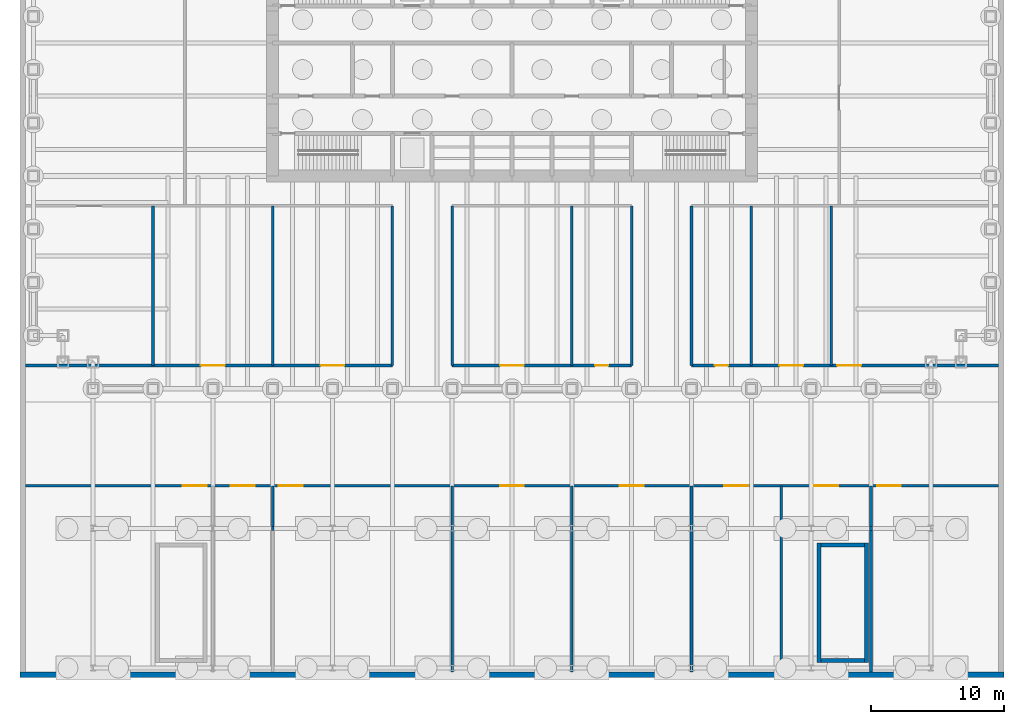
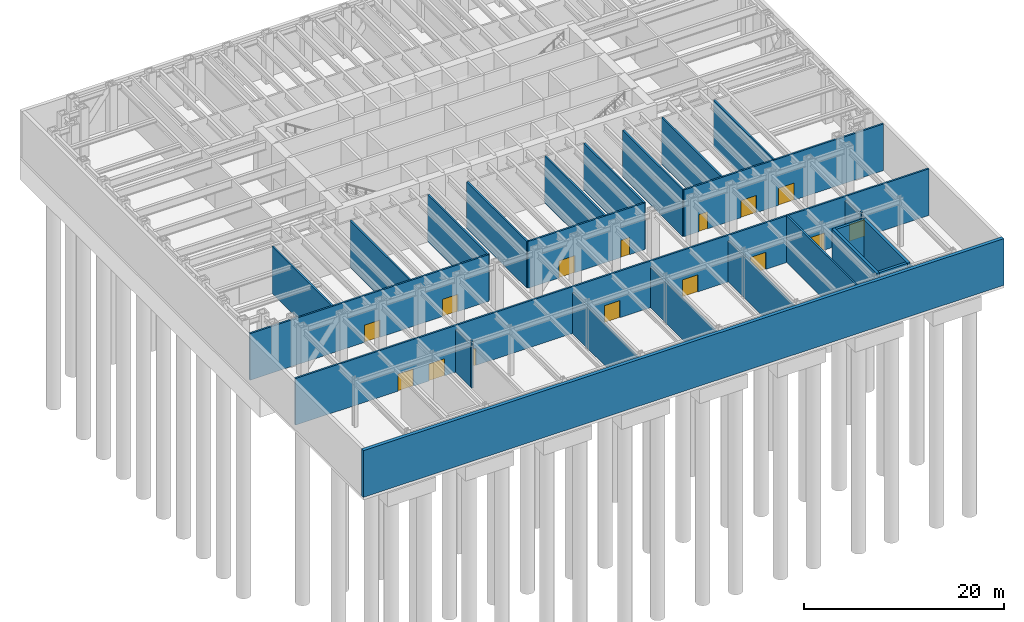
# One storey, part 4 of 9: 27 walls, 15 doors, 15 openings.
"""IFC4 building model written with IfcOpenShell, lengths in metres."""

from ifc_helpers import new_model, si_unit, direction, frame, frame_2d, origin, place, context, subcontext, project, spatial, rectangle, extrude, material, layer, layer_set, type_object, element, fill, save


model = new_model("IFC4")

# Units and contexts
model_context = context("Model", 3, precision=1e-05, world=origin(), true_north=direction((0.0, 1.0)))
body_context = subcontext(model_context, "Body", "Model", "MODEL_VIEW")
ifc_project = project(units=[si_unit("LENGTHUNIT", "METRE"), si_unit("AREAUNIT", "SQUARE_METRE"), si_unit("VOLUMEUNIT", "CUBIC_METRE"), si_unit("PLANEANGLEUNIT", "RADIAN"), si_unit("MASSUNIT", "GRAM", prefix="KILO")], contexts=[model_context])

# Site, building, storey
site_placement = place(None, origin())
site = spatial("IfcSite", under=ifc_project, at=site_placement, CompositionType="ELEMENT")
building_placement = place(site_placement, origin())
building = spatial("IfcBuilding", under=site, at=building_placement, Name="Rheinbord Bourse Tower", CompositionType="ELEMENT")
storey_placement = place(building_placement, frame((0.0, 0.0, -6.0)))
storey = spatial("IfcBuildingStorey", under=building, at=storey_placement, Name="B1", CompositionType="ELEMENT", Elevation=-6.0)

# Wall
ifc_material_1 = material(Name="Concrete C35/45", Category="concrete")
ifc_layer_1 = layer(ifc_material_1, 0.39990234375)
ifc_layer_set_1 = layer_set([ifc_layer_1], Name="BASEMENT RETAINING WALL 400")
wall_type_1 = type_object("IfcWallType", Name="BASEMENT RETAINING WALL 400", PredefinedType="SOLIDWALL", material=ifc_layer_set_1)
wall_1_placement = place(storey_placement, frame((-1.0, -21.5, 0.0), z_axis=(0.0, 0.0, 1.0), x_axis=(1.0, 0.0, 0.0)))
element("IfcWall", 1, at=wall_1_placement, inside=storey, type_object=wall_type_1, Name="Basement retaining wall S", PredefinedType="SOLIDWALL", context=body_context, shape_type="SweptSolid", body=[
    extrude(rectangle(XDim=74.0, YDim=0.39990234375, at=frame_2d((37.0, 0.0))), origin(), (0.0, 0.0, 1.0), 5.699951171875),
])

# Wall, openings, doors
ifc_material_2 = material(Name="Concrete block plant room wall", Category="concrete")
ifc_layer_2 = layer(ifc_material_2, 0.199951171875)
ifc_layer_set_2 = layer_set([ifc_layer_2], Name="PLANT ROOM PARTITION 200 EI90")
wall_type_2 = type_object("IfcWallType", Name="PLANT ROOM PARTITION 200 EI90", PredefinedType="PARTITIONING", material=ifc_layer_set_2)
wall_2_placement = place(storey_placement, frame((-0.590087890625, -7.300048828125, 0.0), z_axis=(0.0, 0.0, 1.0), x_axis=(1.0, 0.0, 0.0)))
wall_2 = element("IfcWall", 2, at=wall_2_placement, inside=storey, type_object=wall_type_2, Name="Partition B1-01", PredefinedType="PARTITIONING", context=body_context, shape_type="SweptSolid", body=[
    extrude(rectangle(XDim=73.18017578125, YDim=0.199951171875, at=frame_2d((36.590087890625, 0.0))), origin(), (0.0, 0.0, 1.0), 5.699951171875),
])
opening_1_placement = place(wall_2_placement, frame((11.840087890625, 0.0, 0.0)))
opening_1 = element("IfcOpeningElement", 3, at=opening_1_placement, cuts=wall_2, Name="Opening B1P01", PredefinedType="OPENING", context=body_context, shape_type="SweptSolid", body=[
    extrude(rectangle(XDim=1.800048828125, YDim=2.10009765625, at=frame_2d((0.89990234375, 1.050048828125))), frame((0.0, 0.10986328125, 0.0), z_axis=(0.0, -1.0, 0.0), x_axis=(1.0, 0.0, 0.0)), (0.0, 0.0, 1.0), 0.219970703125),
])
opening_2_placement = place(wall_2_placement, frame((64.0400390625, 0.0, 0.0)))
opening_2 = element("IfcOpeningElement", 4, at=opening_2_placement, cuts=wall_2, Name="Opening B1P02", PredefinedType="OPENING", context=body_context, shape_type="SweptSolid", body=[
    extrude(rectangle(XDim=1.800048828125, YDim=2.10009765625, at=frame_2d((0.89990234375, 1.050048828125))), frame((0.0, 0.10986328125, 0.0), z_axis=(0.0, -1.0, 0.0), x_axis=(1.0, 0.0, 0.0)), (0.0, 0.0, 1.0), 0.219970703125),
])
opening_3_placement = place(wall_2_placement, frame((15.43994140625, 0.0, 0.0)))
opening_3 = element("IfcOpeningElement", 5, at=opening_3_placement, cuts=wall_2, Name="Opening B1P03", PredefinedType="OPENING", context=body_context, shape_type="SweptSolid", body=[
    extrude(rectangle(XDim=1.800048828125, YDim=2.10009765625, at=frame_2d((0.89990234375, 1.050048828125))), frame((0.0, 0.10986328125, 0.0), z_axis=(0.0, -1.0, 0.0), x_axis=(1.0, 0.0, 0.0)), (0.0, 0.0, 1.0), 0.219970703125),
])
opening_4_placement = place(wall_2_placement, frame((19.0400390625, 0.0, 0.0)))
opening_4 = element("IfcOpeningElement", 6, at=opening_4_placement, cuts=wall_2, Name="Opening B1P04", PredefinedType="OPENING", context=body_context, shape_type="SweptSolid", body=[
    extrude(rectangle(XDim=1.800048828125, YDim=2.10009765625, at=frame_2d((0.89990234375, 1.050048828125))), frame((0.0, 0.10986328125, 0.0), z_axis=(0.0, -1.0, 0.0), x_axis=(1.0, 0.0, 0.0)), (0.0, 0.0, 1.0), 0.219970703125),
])
opening_5_placement = place(wall_2_placement, frame((35.68994140625, 0.0, 0.0)))
opening_5 = element("IfcOpeningElement", 7, at=opening_5_placement, cuts=wall_2, Name="Opening B1P05", PredefinedType="OPENING", context=body_context, shape_type="SweptSolid", body=[
    extrude(rectangle(XDim=1.800048828125, YDim=2.10009765625, at=frame_2d((0.89990234375, 1.050048828125))), frame((0.0, 0.10986328125, 0.0), z_axis=(0.0, -1.0, 0.0), x_axis=(1.0, 0.0, 0.0)), (0.0, 0.0, 1.0), 0.219970703125),
])
opening_6_placement = place(wall_2_placement, frame((44.68994140625, 0.0, 0.0)))
opening_6 = element("IfcOpeningElement", 8, at=opening_6_placement, cuts=wall_2, Name="Opening B1P06", PredefinedType="OPENING", context=body_context, shape_type="SweptSolid", body=[
    extrude(rectangle(XDim=1.800048828125, YDim=2.10009765625, at=frame_2d((0.89990234375, 1.050048828125))), frame((0.0, 0.10986328125, 0.0), z_axis=(0.0, -1.0, 0.0), x_axis=(1.0, 0.0, 0.0)), (0.0, 0.0, 1.0), 0.219970703125),
])
opening_7_placement = place(wall_2_placement, frame((52.56494140625, 0.0, 0.0)))
opening_7 = element("IfcOpeningElement", 9, at=opening_7_placement, cuts=wall_2, Name="Opening B1P07", PredefinedType="OPENING", context=body_context, shape_type="SweptSolid", body=[
    extrude(rectangle(XDim=1.800048828125, YDim=2.10009765625, at=frame_2d((0.89990234375, 1.050048828125))), frame((0.0, 0.10986328125, 0.0), z_axis=(0.0, -1.0, 0.0), x_axis=(1.0, 0.0, 0.0)), (0.0, 0.0, 1.0), 0.219970703125),
])
opening_8_placement = place(wall_2_placement, frame((59.31494140625, 0.0, 0.0)))
opening_8 = element("IfcOpeningElement", 10, at=opening_8_placement, cuts=wall_2, Name="Opening B1P08", PredefinedType="OPENING", context=body_context, shape_type="SweptSolid", body=[
    extrude(rectangle(XDim=1.800048828125, YDim=2.10009765625, at=frame_2d((0.89990234375, 1.050048828125))), frame((0.0, 0.10986328125, 0.0), z_axis=(0.0, -1.0, 0.0), x_axis=(1.0, 0.0, 0.0)), (0.0, 0.0, 1.0), 0.219970703125),
])
ifc_material_3 = material(Name="Steel fire door", Category="steel")
door_type_1 = type_object("IfcDoorType", Name="PLANT ROOM DOUBLE DOOR 1800 EI60", OperationType="DOUBLE_DOOR_DOUBLE_SWING", PredefinedType="DOOR", material=ifc_material_3)
door_1_placement = place(opening_1_placement, origin())
door_1 = element("IfcDoor", 11, at=door_1_placement, inside=storey, type_object=door_type_1, Name="Standby generator room 1 door B1", OperationType="SINGLE_SWING_LEFT", OverallHeight=2.10009765625, OverallWidth=1.800048828125, PredefinedType="DOOR", context=body_context, shape_type="SweptSolid", body=[
    extrude(rectangle(XDim=1.800048828125, YDim=2.10009765625, at=frame_2d((0.89990234375, 1.050048828125))), frame((0.0, 0.02490234375, 0.0), z_axis=(0.0, -1.0, 0.0), x_axis=(1.0, 0.0, 0.0)), (0.0, 0.0, 1.0), 0.050048828125),
])
fill(opening_1, door_1)
door_2_placement = place(opening_2_placement, origin())
door_2 = element("IfcDoor", 12, at=door_2_placement, inside=storey, type_object=door_type_1, Name="LV switch room 1 door B1", OperationType="SINGLE_SWING_LEFT", OverallHeight=2.10009765625, OverallWidth=1.800048828125, PredefinedType="DOOR", context=body_context, shape_type="SweptSolid", body=[
    extrude(rectangle(XDim=1.800048828125, YDim=2.10009765625, at=frame_2d((0.89990234375, 1.050048828125))), frame((0.0, 0.02490234375, 0.0), z_axis=(0.0, -1.0, 0.0), x_axis=(1.0, 0.0, 0.0)), (0.0, 0.0, 1.0), 0.050048828125),
])
fill(opening_2, door_2)
door_3_placement = place(opening_3_placement, origin())
door_3 = element("IfcDoor", 13, at=door_3_placement, inside=storey, type_object=door_type_1, Name="Generator fuel store door B1", OperationType="SINGLE_SWING_LEFT", OverallHeight=2.10009765625, OverallWidth=1.800048828125, PredefinedType="DOOR", context=body_context, shape_type="SweptSolid", body=[
    extrude(rectangle(XDim=1.800048828125, YDim=2.10009765625, at=frame_2d((0.89990234375, 1.050048828125))), frame((0.0, 0.02490234375, 0.0), z_axis=(0.0, -1.0, 0.0), x_axis=(1.0, 0.0, 0.0)), (0.0, 0.0, 1.0), 0.050048828125),
])
fill(opening_3, door_3)
door_4_placement = place(opening_4_placement, origin())
door_4 = element("IfcDoor", 14, at=door_4_placement, inside=storey, type_object=door_type_1, Name="Standby generator room 2 door B1", OperationType="SINGLE_SWING_LEFT", OverallHeight=2.10009765625, OverallWidth=1.800048828125, PredefinedType="DOOR", context=body_context, shape_type="SweptSolid", body=[
    extrude(rectangle(XDim=1.800048828125, YDim=2.10009765625, at=frame_2d((0.89990234375, 1.050048828125))), frame((0.0, 0.02490234375, 0.0), z_axis=(0.0, -1.0, 0.0), x_axis=(1.0, 0.0, 0.0)), (0.0, 0.0, 1.0), 0.050048828125),
])
fill(opening_4, door_4)
door_5_placement = place(opening_5_placement, origin())
door_5 = element("IfcDoor", 15, at=door_5_placement, inside=storey, type_object=door_type_1, Name="MV switch room A door B1", OperationType="SINGLE_SWING_LEFT", OverallHeight=2.10009765625, OverallWidth=1.800048828125, PredefinedType="DOOR", context=body_context, shape_type="SweptSolid", body=[
    extrude(rectangle(XDim=1.800048828125, YDim=2.10009765625, at=frame_2d((0.89990234375, 1.050048828125))), frame((0.0, 0.02490234375, 0.0), z_axis=(0.0, -1.0, 0.0), x_axis=(1.0, 0.0, 0.0)), (0.0, 0.0, 1.0), 0.050048828125),
])
fill(opening_5, door_5)
door_6_placement = place(opening_6_placement, origin())
door_6 = element("IfcDoor", 16, at=door_6_placement, inside=storey, type_object=door_type_1, Name="MV switch room B door B1", OperationType="SINGLE_SWING_LEFT", OverallHeight=2.10009765625, OverallWidth=1.800048828125, PredefinedType="DOOR", context=body_context, shape_type="SweptSolid", body=[
    extrude(rectangle(XDim=1.800048828125, YDim=2.10009765625, at=frame_2d((0.89990234375, 1.050048828125))), frame((0.0, 0.02490234375, 0.0), z_axis=(0.0, -1.0, 0.0), x_axis=(1.0, 0.0, 0.0)), (0.0, 0.0, 1.0), 0.050048828125),
])
fill(opening_6, door_6)
door_7_placement = place(opening_7_placement, origin())
door_7 = element("IfcDoor", 17, at=door_7_placement, inside=storey, type_object=door_type_1, Name="Transformer room 1 door B1", OperationType="SINGLE_SWING_LEFT", OverallHeight=2.10009765625, OverallWidth=1.800048828125, PredefinedType="DOOR", context=body_context, shape_type="SweptSolid", body=[
    extrude(rectangle(XDim=1.800048828125, YDim=2.10009765625, at=frame_2d((0.89990234375, 1.050048828125))), frame((0.0, 0.02490234375, 0.0), z_axis=(0.0, -1.0, 0.0), x_axis=(1.0, 0.0, 0.0)), (0.0, 0.0, 1.0), 0.050048828125),
])
fill(opening_7, door_7)
door_8_placement = place(opening_8_placement, origin())
door_8 = element("IfcDoor", 18, at=door_8_placement, inside=storey, type_object=door_type_1, Name="Transformer room 2 door B1", OperationType="SINGLE_SWING_LEFT", OverallHeight=2.10009765625, OverallWidth=1.800048828125, PredefinedType="DOOR", context=body_context, shape_type="SweptSolid", body=[
    extrude(rectangle(XDim=1.800048828125, YDim=2.10009765625, at=frame_2d((0.89990234375, 1.050048828125))), frame((0.0, 0.02490234375, 0.0), z_axis=(0.0, -1.0, 0.0), x_axis=(1.0, 0.0, 0.0)), (0.0, 0.0, 1.0), 0.050048828125),
])
fill(opening_8, door_8)

wall_3_placement = place(storey_placement, frame((-0.590087890625, 1.75, 0.0), z_axis=(0.0, 0.0, 1.0), x_axis=(1.0, 0.0, 0.0)))
wall_3 = element("IfcWall", 19, at=wall_3_placement, inside=storey, type_object=wall_type_2, Name="Partition B1-02", PredefinedType="PARTITIONING", context=body_context, shape_type="SweptSolid", body=[
    extrude(rectangle(XDim=27.590087890625, YDim=0.199951171875, at=frame_2d((13.794921875, 0.0))), origin(), (0.0, 0.0, 1.0), 5.699951171875),
])
opening_9_placement = place(wall_3_placement, frame((13.18994140625, 0.0, 0.0)))
opening_9 = element("IfcOpeningElement", 20, at=opening_9_placement, cuts=wall_3, Name="Opening B1P10", PredefinedType="OPENING", context=body_context, shape_type="SweptSolid", body=[
    extrude(rectangle(XDim=1.800048828125, YDim=2.10009765625, at=frame_2d((0.89990234375, 1.050048828125))), frame((0.0, 0.10986328125, 0.0), z_axis=(0.0, -1.0, 0.0), x_axis=(1.0, 0.0, 0.0)), (0.0, 0.0, 1.0), 0.219970703125),
])
opening_10_placement = place(wall_3_placement, frame((22.18994140625, 0.0, 0.0)))
opening_10 = element("IfcOpeningElement", 21, at=opening_10_placement, cuts=wall_3, Name="Opening B1P11", PredefinedType="OPENING", context=body_context, shape_type="SweptSolid", body=[
    extrude(rectangle(XDim=1.800048828125, YDim=2.10009765625, at=frame_2d((0.89990234375, 1.050048828125))), frame((0.0, 0.10986328125, 0.0), z_axis=(0.0, -1.0, 0.0), x_axis=(1.0, 0.0, 0.0)), (0.0, 0.0, 1.0), 0.219970703125),
])
door_9_placement = place(opening_9_placement, origin())
door_9 = element("IfcDoor", 22, at=door_9_placement, inside=storey, type_object=door_type_1, Name="Sprinkler water tank room 2 door B1", OperationType="SINGLE_SWING_LEFT", OverallHeight=2.10009765625, OverallWidth=1.800048828125, PredefinedType="DOOR", context=body_context, shape_type="SweptSolid", body=[
    extrude(rectangle(XDim=1.800048828125, YDim=2.10009765625, at=frame_2d((0.89990234375, 1.050048828125))), frame((0.0, 0.02490234375, 0.0), z_axis=(0.0, -1.0, 0.0), x_axis=(1.0, 0.0, 0.0)), (0.0, 0.0, 1.0), 0.050048828125),
])
fill(opening_9, door_9)
door_10_placement = place(opening_10_placement, origin())
door_10 = element("IfcDoor", 23, at=door_10_placement, inside=storey, type_object=door_type_1, Name="Sprinkler pump room door B1", OperationType="SINGLE_SWING_LEFT", OverallHeight=2.10009765625, OverallWidth=1.800048828125, PredefinedType="DOOR", context=body_context, shape_type="SweptSolid", body=[
    extrude(rectangle(XDim=1.800048828125, YDim=2.10009765625, at=frame_2d((0.89990234375, 1.050048828125))), frame((0.0, 0.02490234375, 0.0), z_axis=(0.0, -1.0, 0.0), x_axis=(1.0, 0.0, 0.0)), (0.0, 0.0, 1.0), 0.050048828125),
])
fill(opening_10, door_10)

wall_4_placement = place(storey_placement, frame((31.5, 1.75, 0.0), z_axis=(0.0, 0.0, 1.0), x_axis=(1.0, 0.0, 0.0)))
wall_4 = element("IfcWall", 24, at=wall_4_placement, inside=storey, type_object=wall_type_2, Name="Partition B1-03", PredefinedType="PARTITIONING", context=body_context, shape_type="SweptSolid", body=[
    extrude(rectangle(XDim=13.5, YDim=0.199951171875, at=frame_2d((6.75, 0.0))), origin(), (0.0, 0.0, 1.0), 5.699951171875),
])
opening_11_placement = place(wall_4_placement, frame((3.60009765625, 0.0, 0.0)))
opening_11 = element("IfcOpeningElement", 25, at=opening_11_placement, cuts=wall_4, Name="Opening B1P12", PredefinedType="OPENING", context=body_context, shape_type="SweptSolid", body=[
    extrude(rectangle(XDim=1.800048828125, YDim=2.10009765625, at=frame_2d((0.89990234375, 1.050048828125))), frame((0.0, 0.10986328125, 0.0), z_axis=(0.0, -1.0, 0.0), x_axis=(1.0, 0.0, 0.0)), (0.0, 0.0, 1.0), 0.219970703125),
])
opening_12_placement = place(wall_4_placement, frame((10.75, 0.0, 0.0)))
opening_12 = element("IfcOpeningElement", 26, at=opening_12_placement, cuts=wall_4, Name="Opening B1P13", PredefinedType="OPENING", context=body_context, shape_type="SweptSolid", body=[
    extrude(rectangle(XDim=1.0, YDim=2.10009765625, at=frame_2d((0.5, 1.050048828125))), frame((0.0, 0.10986328125, 0.0), z_axis=(0.0, -1.0, 0.0), x_axis=(1.0, 0.0, 0.0)), (0.0, 0.0, 1.0), 0.219970703125),
])
ifc_material_4 = material(Name="Steel fire door", Category="steel")
door_type_2 = type_object("IfcDoorType", Name="PLANT ROOM DOOR 1000 EI60", OperationType="SINGLE_SWING_LEFT", PredefinedType="DOOR", material=ifc_material_4)
door_11_placement = place(opening_12_placement, origin())
door_11 = element("IfcDoor", 27, at=door_11_placement, inside=storey, type_object=door_type_2, Name="UPS room door B1", OperationType="SINGLE_SWING_RIGHT", OverallHeight=2.10009765625, OverallWidth=1.0, PredefinedType="DOOR", context=body_context, shape_type="SweptSolid", body=[
    extrude(rectangle(XDim=1.0, YDim=2.10009765625, at=frame_2d((0.5, 1.050048828125))), frame((0.0, 0.02490234375, 0.0), z_axis=(0.0, -1.0, 0.0), x_axis=(1.0, 0.0, 0.0)), (0.0, 0.0, 1.0), 0.050048828125),
])
fill(opening_12, door_11)
door_12_placement = place(opening_11_placement, origin())
door_12 = element("IfcDoor", 28, at=door_12_placement, inside=storey, type_object=door_type_1, Name="Domestic water tank and booster pump room door B1", OperationType="SINGLE_SWING_LEFT", OverallHeight=2.10009765625, OverallWidth=1.800048828125, PredefinedType="DOOR", context=body_context, shape_type="SweptSolid", body=[
    extrude(rectangle(XDim=1.800048828125, YDim=2.10009765625, at=frame_2d((0.89990234375, 1.050048828125))), frame((0.0, 0.02490234375, 0.0), z_axis=(0.0, -1.0, 0.0), x_axis=(1.0, 0.0, 0.0)), (0.0, 0.0, 1.0), 0.050048828125),
])
fill(opening_11, door_12)

wall_5_placement = place(storey_placement, frame((49.5, 1.75, 0.0), z_axis=(0.0, 0.0, 1.0), x_axis=(1.0, 0.0, 0.0)))
wall_5 = element("IfcWall", 29, at=wall_5_placement, inside=storey, type_object=wall_type_2, Name="Partition B1-04", PredefinedType="PARTITIONING", context=body_context, shape_type="SweptSolid", body=[
    extrude(rectangle(XDim=23.090087890625, YDim=0.199951171875, at=frame_2d((11.544921875, 0.0))), origin(), (0.0, 0.0, 1.0), 5.699951171875),
])
opening_13_placement = place(wall_5_placement, frame((1.75, 0.0, 0.0)))
opening_13 = element("IfcOpeningElement", 30, at=opening_13_placement, cuts=wall_5, Name="Opening B1P14", PredefinedType="OPENING", context=body_context, shape_type="SweptSolid", body=[
    extrude(rectangle(XDim=1.0, YDim=2.10009765625, at=frame_2d((0.5, 1.050048828125))), frame((0.0, 0.10986328125, 0.0), z_axis=(0.0, -1.0, 0.0), x_axis=(1.0, 0.0, 0.0)), (0.0, 0.0, 1.0), 0.219970703125),
])
opening_14_placement = place(wall_5_placement, frame((6.60009765625, 0.0, 0.0)))
opening_14 = element("IfcOpeningElement", 31, at=opening_14_placement, cuts=wall_5, Name="Opening B1P15", PredefinedType="OPENING", context=body_context, shape_type="SweptSolid", body=[
    extrude(rectangle(XDim=1.800048828125, YDim=2.10009765625, at=frame_2d((0.89990234375, 1.050048828125))), frame((0.0, 0.10986328125, 0.0), z_axis=(0.0, -1.0, 0.0), x_axis=(1.0, 0.0, 0.0)), (0.0, 0.0, 1.0), 0.219970703125),
])
opening_15_placement = place(wall_5_placement, frame((10.949951171875, 0.0, 0.0)))
opening_15 = element("IfcOpeningElement", 32, at=opening_15_placement, cuts=wall_5, Name="Opening B1P16", PredefinedType="OPENING", context=body_context, shape_type="SweptSolid", body=[
    extrude(rectangle(XDim=1.800048828125, YDim=2.10009765625, at=frame_2d((0.89990234375, 1.050048828125))), frame((0.0, 0.10986328125, 0.0), z_axis=(0.0, -1.0, 0.0), x_axis=(1.0, 0.0, 0.0)), (0.0, 0.0, 1.0), 0.219970703125),
])
door_13_placement = place(opening_13_placement, origin())
door_13 = element("IfcDoor", 33, at=door_13_placement, inside=storey, type_object=door_type_2, Name="Plant control room door B1", OperationType="SINGLE_SWING_LEFT", OverallHeight=2.10009765625, OverallWidth=1.0, PredefinedType="DOOR", context=body_context, shape_type="SweptSolid", body=[
    extrude(rectangle(XDim=1.0, YDim=2.10009765625, at=frame_2d((0.5, 1.050048828125))), frame((0.0, 0.02490234375, 0.0), z_axis=(0.0, -1.0, 0.0), x_axis=(1.0, 0.0, 0.0)), (0.0, 0.0, 1.0), 0.050048828125),
])
fill(opening_13, door_13)
door_14_placement = place(opening_14_placement, origin())
door_14 = element("IfcDoor", 34, at=door_14_placement, inside=storey, type_object=door_type_1, Name="Refuse store door B1", OperationType="SINGLE_SWING_LEFT", OverallHeight=2.10009765625, OverallWidth=1.800048828125, PredefinedType="DOOR", context=body_context, shape_type="SweptSolid", body=[
    extrude(rectangle(XDim=1.800048828125, YDim=2.10009765625, at=frame_2d((0.89990234375, 1.050048828125))), frame((0.0, 0.02490234375, 0.0), z_axis=(0.0, -1.0, 0.0), x_axis=(1.0, 0.0, 0.0)), (0.0, 0.0, 1.0), 0.050048828125),
])
fill(opening_14, door_14)
door_15_placement = place(opening_15_placement, origin())
door_15 = element("IfcDoor", 35, at=door_15_placement, inside=storey, type_object=door_type_1, Name="District heating substation door B1", OperationType="SINGLE_SWING_LEFT", OverallHeight=2.10009765625, OverallWidth=1.800048828125, PredefinedType="DOOR", context=body_context, shape_type="SweptSolid", body=[
    extrude(rectangle(XDim=1.800048828125, YDim=2.10009765625, at=frame_2d((0.89990234375, 1.050048828125))), frame((0.0, 0.02490234375, 0.0), z_axis=(0.0, -1.0, 0.0), x_axis=(1.0, 0.0, 0.0)), (0.0, 0.0, 1.0), 0.050048828125),
])
fill(opening_15, door_15)

# Walls
wall_6_placement = place(storey_placement, frame((9.0, 1.75, 0.0), z_axis=(0.0, 0.0, 1.0), x_axis=(0.0, 1.0, 0.0)))
element("IfcWall", 36, at=wall_6_placement, inside=storey, type_object=wall_type_2, Name="Partition B1-10", PredefinedType="PARTITIONING", context=body_context, shape_type="SweptSolid", body=[
    extrude(rectangle(XDim=12.0, YDim=0.199951171875, at=frame_2d((6.0, 0.0))), origin(), (0.0, 0.0, 1.0), 5.699951171875),
])
wall_7_placement = place(storey_placement, frame((18.0, -10.652099609375, 0.0), z_axis=(0.0, 0.0, 1.0), x_axis=(0.0, 1.0, 0.0)))
element("IfcWall", 37, at=wall_7_placement, inside=storey, type_object=wall_type_2, Name="Partition B1-14b", PredefinedType="PARTITIONING", context=body_context, shape_type="SweptSolid", body=[
    extrude(rectangle(XDim=0.30419921875, YDim=0.199951171875, at=frame_2d((0.152099609375, 0.0))), origin(), (0.0, 0.0, 1.0), 5.699951171875),
])
wall_8_placement = place(storey_placement, frame((18.0, -10.347900390625, 0.0), z_axis=(0.0, 0.0, 1.0), x_axis=(0.0, 1.0, 0.0)))
element("IfcWall", 38, at=wall_8_placement, inside=storey, type_object=wall_type_2, Name="Partition B1-14c", PredefinedType="PARTITIONING", context=body_context, shape_type="SweptSolid", body=[
    extrude(rectangle(XDim=3.0478515625, YDim=0.199951171875, at=frame_2d((1.52392578125, 0.0))), origin(), (0.0, 0.0, 1.0), 5.199951171875),
])
for number, where, z_axis, x_axis, name in (
    (39, (18.0, 1.75, 0.0), (0.0, 0.0, 1.0), (0.0, 1.0, 0.0), "Partition B1-15"),
    (40, (27.0, 1.75, 0.0), (0.0, 0.0, 1.0), (0.0, 1.0, 0.0), "Partition B1-17"),
):
    element("IfcWall", number, at=place(storey_placement, frame(where, z_axis=z_axis, x_axis=x_axis)), inside=storey, type_object=wall_type_2, Name=name, PredefinedType="PARTITIONING", context=body_context, shape_type="SweptSolid", body=[
        extrude(rectangle(XDim=12.0, YDim=0.199951171875, at=frame_2d((6.0, 0.0))), origin(), (0.0, 0.0, 1.0), 5.699951171875),
    ])
wall_9_placement = place(storey_placement, frame((31.5, -21.2900390625, 0.0), z_axis=(0.0, 0.0, 1.0), x_axis=(0.0, 1.0, 0.0)))
element("IfcWall", 41, at=wall_9_placement, inside=storey, type_object=wall_type_2, Name="Partition B1-18", PredefinedType="PARTITIONING", context=body_context, shape_type="SweptSolid", body=[
    extrude(rectangle(XDim=13.989990234375, YDim=0.199951171875, at=frame_2d((6.9951171875, 0.0))), origin(), (0.0, 0.0, 1.0), 4.98388671875),
])
wall_10_placement = place(storey_placement, frame((31.5, 1.75, 0.0), z_axis=(0.0, 0.0, 1.0), x_axis=(0.0, 1.0, 0.0)))
element("IfcWall", 42, at=wall_10_placement, inside=storey, type_object=wall_type_2, Name="Partition B1-19", PredefinedType="PARTITIONING", context=body_context, shape_type="SweptSolid", body=[
    extrude(rectangle(XDim=12.0, YDim=0.199951171875, at=frame_2d((6.0, 0.0))), origin(), (0.0, 0.0, 1.0), 5.699951171875),
])
wall_11_placement = place(storey_placement, frame((40.5, -21.2900390625, 0.0), z_axis=(0.0, 0.0, 1.0), x_axis=(0.0, 1.0, 0.0)))
element("IfcWall", 43, at=wall_11_placement, inside=storey, type_object=wall_type_2, Name="Partition B1-21", PredefinedType="PARTITIONING", context=body_context, shape_type="SweptSolid", body=[
    extrude(rectangle(XDim=13.989990234375, YDim=0.199951171875, at=frame_2d((6.9951171875, 0.0))), origin(), (0.0, 0.0, 1.0), 4.98388671875),
])
for number, where, z_axis, x_axis, name in (
    (44, (40.5, 1.75, 0.0), (0.0, 0.0, 1.0), (0.0, 1.0, 0.0), "Partition B1-22"),
    (45, (45.0, 1.75, 0.0), (0.0, 0.0, 1.0), (0.0, 1.0, 0.0), "Partition B1-23"),
):
    element("IfcWall", number, at=place(storey_placement, frame(where, z_axis=z_axis, x_axis=x_axis)), inside=storey, type_object=wall_type_2, Name=name, PredefinedType="PARTITIONING", context=body_context, shape_type="SweptSolid", body=[
        extrude(rectangle(XDim=12.0, YDim=0.199951171875, at=frame_2d((6.0, 0.0))), origin(), (0.0, 0.0, 1.0), 5.699951171875),
    ])
wall_12_placement = place(storey_placement, frame((49.5, -21.2900390625, 0.0), z_axis=(0.0, 0.0, 1.0), x_axis=(0.0, 1.0, 0.0)))
element("IfcWall", 46, at=wall_12_placement, inside=storey, type_object=wall_type_2, Name="Partition B1-25", PredefinedType="PARTITIONING", context=body_context, shape_type="SweptSolid", body=[
    extrude(rectangle(XDim=13.989990234375, YDim=0.199951171875, at=frame_2d((6.9951171875, 0.0))), origin(), (0.0, 0.0, 1.0), 4.98388671875),
])
for number, where, z_axis, x_axis, name in (
    (47, (49.5, 1.75, 0.0), (0.0, 0.0, 1.0), (0.0, 1.0, 0.0), "Partition B1-26"),
    (48, (54.0, 1.75, 0.0), (0.0, 0.0, 1.0), (0.0, 1.0, 0.0), "Partition B1-27"),
):
    element("IfcWall", number, at=place(storey_placement, frame(where, z_axis=z_axis, x_axis=x_axis)), inside=storey, type_object=wall_type_2, Name=name, PredefinedType="PARTITIONING", context=body_context, shape_type="SweptSolid", body=[
        extrude(rectangle(XDim=12.0, YDim=0.199951171875, at=frame_2d((6.0, 0.0))), origin(), (0.0, 0.0, 1.0), 5.699951171875),
    ])
wall_13_placement = place(storey_placement, frame((56.25, -21.2900390625, 0.0), z_axis=(0.0, 0.0, 1.0), x_axis=(0.0, 1.0, 0.0)))
element("IfcWall", 49, at=wall_13_placement, inside=storey, type_object=wall_type_2, Name="Partition B1-28", PredefinedType="PARTITIONING", context=body_context, shape_type="SweptSolid", body=[
    extrude(rectangle(XDim=13.989990234375, YDim=0.199951171875, at=frame_2d((6.9951171875, 0.0))), origin(), (0.0, 0.0, 1.0), 5.699951171875),
])
wall_14_placement = place(storey_placement, frame((60.0, 1.75, 0.0), z_axis=(0.0, 0.0, 1.0), x_axis=(0.0, 1.0, 0.0)))
element("IfcWall", 50, at=wall_14_placement, inside=storey, type_object=wall_type_2, Name="Partition B1-29", PredefinedType="PARTITIONING", context=body_context, shape_type="SweptSolid", body=[
    extrude(rectangle(XDim=12.0, YDim=0.199951171875, at=frame_2d((6.0, 0.0))), origin(), (0.0, 0.0, 1.0), 5.699951171875),
])
wall_15_placement = place(storey_placement, frame((63.0, -21.2900390625, 0.0), z_axis=(0.0, 0.0, 1.0), x_axis=(0.0, 1.0, 0.0)))
element("IfcWall", 51, at=wall_15_placement, inside=storey, type_object=wall_type_2, Name="Partition B1-32", PredefinedType="PARTITIONING", context=body_context, shape_type="SweptSolid", body=[
    extrude(rectangle(XDim=10.637939453125, YDim=0.199951171875, at=frame_2d((5.31884765625, 0.0))), origin(), (0.0, 0.0, 1.0), 5.199951171875),
])
wall_16_placement = place(storey_placement, frame((63.0, -10.652099609375, 0.0), z_axis=(0.0, 0.0, 1.0), x_axis=(0.0, 1.0, 0.0)))
element("IfcWall", 52, at=wall_16_placement, inside=storey, type_object=wall_type_2, Name="Partition B1-32b", PredefinedType="PARTITIONING", context=body_context, shape_type="SweptSolid", body=[
    extrude(rectangle(XDim=0.30419921875, YDim=0.199951171875, at=frame_2d((0.152099609375, 0.0))), origin(), (0.0, 0.0, 1.0), 5.699951171875),
])
wall_17_placement = place(storey_placement, frame((63.0, -10.347900390625, 0.0), z_axis=(0.0, 0.0, 1.0), x_axis=(0.0, 1.0, 0.0)))
element("IfcWall", 53, at=wall_17_placement, inside=storey, type_object=wall_type_2, Name="Partition B1-32c", PredefinedType="PARTITIONING", context=body_context, shape_type="SweptSolid", body=[
    extrude(rectangle(XDim=3.0478515625, YDim=0.199951171875, at=frame_2d((1.52392578125, 0.0))), origin(), (0.0, 0.0, 1.0), 5.199951171875),
])
ifc_material_5 = material(Name="Concrete C50/60", Category="concrete")
ifc_layer_3 = layer(ifc_material_5, 0.300048828125)
ifc_layer_set_3 = layer_set([ifc_layer_3], Name="PODIUM STAIR WALL 300")
wall_type_3 = type_object("IfcWallType", Name="PODIUM STAIR WALL 300", PredefinedType="SOLIDWALL", material=ifc_layer_set_3)
for number, where, z_axis, x_axis, name in (
    (54, (59.10009765625, -20.60009765625, 0.0), (0.0, 0.0, 1.0), (0.0, 1.0, 0.0), "Stair wall ST6 W B1"),
    (55, (62.64990234375, -20.60009765625, 0.0), (0.0, 0.0, 1.0), (0.0, 1.0, 0.0), "Stair wall ST6 E B1"),
):
    element("IfcWall", number, at=place(storey_placement, frame(where, z_axis=z_axis, x_axis=x_axis)), inside=storey, type_object=wall_type_3, Name=name, PredefinedType="SOLIDWALL", context=body_context, shape_type="SweptSolid", body=[
        extrude(rectangle(XDim=9.0, YDim=0.300048828125, at=frame_2d((4.5, 0.0))), origin(), (0.0, 0.0, 1.0), 5.699951171875),
    ])
for number, where, z_axis, x_axis, name in (
    (56, (59.25, -20.449951171875, 0.0), (0.0, 0.0, 1.0), (1.0, 0.0, 0.0), "Stair wall ST6 S B1"),
    (57, (59.25, -11.75, 0.0), (0.0, 0.0, 1.0), (1.0, 0.0, 0.0), "Stair wall ST6 N B1"),
):
    element("IfcWall", number, at=place(storey_placement, frame(where, z_axis=z_axis, x_axis=x_axis)), inside=storey, type_object=wall_type_3, Name=name, PredefinedType="SOLIDWALL", context=body_context, shape_type="SweptSolid", body=[
        extrude(rectangle(XDim=3.25, YDim=0.300048828125, at=frame_2d((1.625, 0.0))), origin(), (0.0, 0.0, 1.0), 5.699951171875),
    ])

save(model, "model.ifc")
